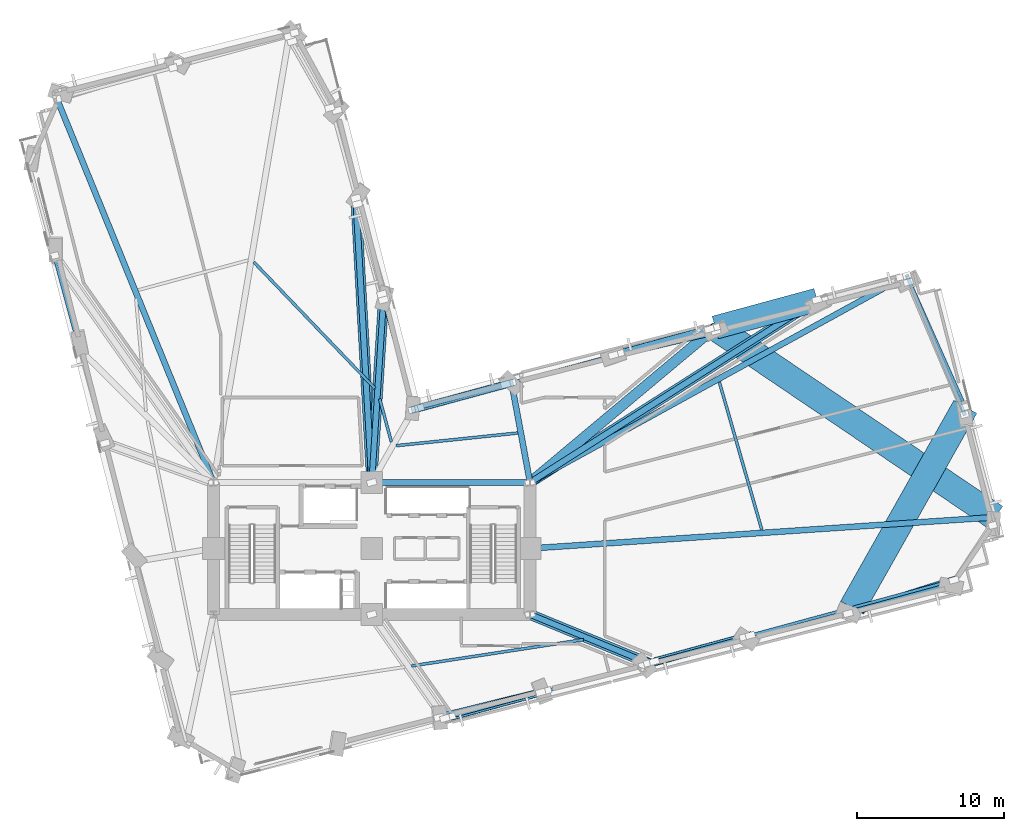
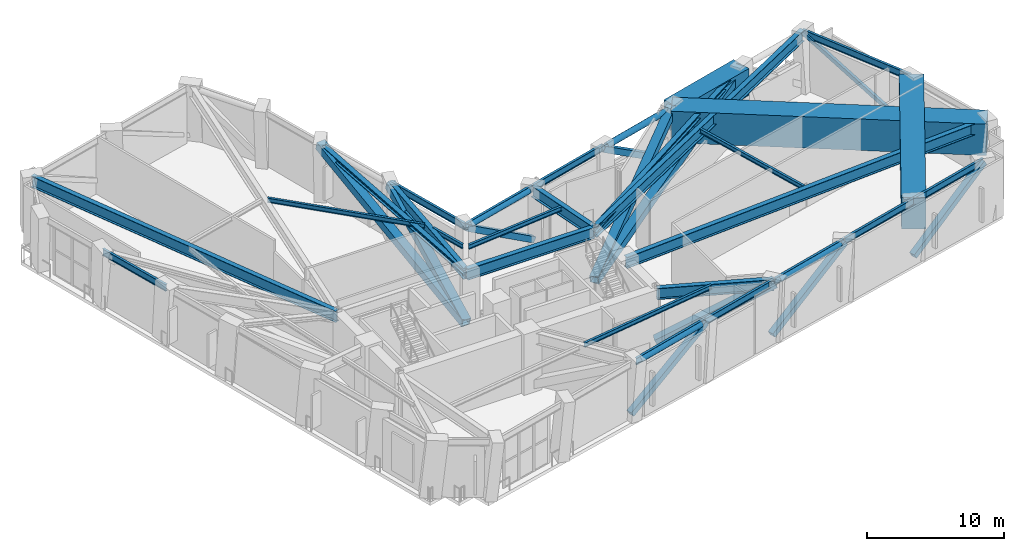
# One storey, part 4 of 17: 25 beams, 17 members.
"""IFC4 building model written with IfcOpenShell, lengths in metres."""

from ifc_helpers import new_model, si_unit, direction, frame, origin, origin_2d, place, context, subcontext, project, spatial, rectangle, hollow_rectangle, hollow_circle, i_section, extrude, material, material_profile, profile_set, type_object, element, save


model = new_model("IFC4")

# Units and contexts
model_context = context("Model", 3, precision=1e-05, world=origin(), true_north=direction((0.0, 1.0)))
body_context = subcontext(model_context, "Body", "Model", "MODEL_VIEW")
ifc_project = project(units=[si_unit("LENGTHUNIT", "METRE"), si_unit("AREAUNIT", "SQUARE_METRE"), si_unit("VOLUMEUNIT", "CUBIC_METRE"), si_unit("PLANEANGLEUNIT", "RADIAN"), si_unit("MASSUNIT", "GRAM", prefix="KILO")], contexts=[model_context])

# Site, building, storey
site_placement = place(None, origin())
site = spatial("IfcSite", under=ifc_project, at=site_placement, CompositionType="ELEMENT")
building_placement = place(site_placement, origin())
building = spatial("IfcBuilding", under=site, at=building_placement, Name="Gaonmaruhae Medical Tower", CompositionType="ELEMENT")
storey_placement = place(building_placement, frame((0.0, 0.0, 83.0)))
storey = spatial("IfcBuildingStorey", under=building, at=storey_placement, Name="L19", CompositionType="ELEMENT", Elevation=83.0)

# Beams
ifc_material_1 = material(Name="Steel SM420", Category="steel")
ifc_material_profile_1 = material_profile(ifc_material_1, i_section(OverallWidth=0.39990234375, OverallDepth=1.0, WebThickness=0.02197265625, FlangeThickness=0.035888671875, at=origin_2d()), Name="BH-1000x400x22x36")
ifc_profile_set_1 = profile_set([ifc_material_profile_1], Name="Steel SM420")
beam_type_1 = type_object("IfcBeamType", Name="BG-02 Refuge Floor Primary Girder (BH-1000x400x22x36)", PredefinedType="BEAM", material=ifc_profile_set_1)
beam_1_placement = place(storey_placement, frame((24.85009765625, 16.800048828125, 4.679931640625), z_axis=(1.0, 0.0, 0.0), x_axis=(0.0, 1.0, 0.0)))
element("IfcBeam", 1, at=beam_1_placement, inside=storey, type_object=beam_type_1, Name="L19 Beam BM-L19-CG-N2", PredefinedType="BEAM", context=body_context, shape_type="SweptSolid", body=[
    extrude(i_section(OverallWidth=0.39990234375, OverallDepth=1.0, WebThickness=0.02197265625, FlangeThickness=0.035888671875, at=origin_2d()), origin(), (0.0, 0.0, 1.0), 10.699951171875),
])
beam_2_placement = place(storey_placement, frame((35.646240234375, 7.781005859375, 4.659912109375), z_axis=(0.925038980817, -0.379872194256, 0.0), x_axis=(0.379872194256, 0.925038980817, 0.0)))
element("IfcBeam", 2, at=beam_2_placement, inside=storey, type_object=beam_type_1, Name="L19 Radial Primary Girder S05", PredefinedType="BEAM", context=body_context, shape_type="SweptSolid", body=[
    extrude(i_section(OverallWidth=0.39990234375, OverallDepth=1.0, WebThickness=0.02197265625, FlangeThickness=0.035888671875, at=origin_2d()), origin(), (0.0, 0.0, 1.0), 8.634521484375),
])
beam_3_placement = place(storey_placement, frame((35.64990234375, 12.303466796875, 4.659912109375), z_axis=(0.997745166886, 0.067116182512, 0.0), x_axis=(-0.067116182512, 0.997745166886, 0.0)))
element("IfcBeam", 3, at=beam_3_placement, inside=storey, type_object=beam_type_1, Name="L19 Radial Primary Girder E01", PredefinedType="BEAM", context=body_context, shape_type="SweptSolid", body=[
    extrude(i_section(OverallWidth=0.39990234375, OverallDepth=1.0, WebThickness=0.02197265625, FlangeThickness=0.035888671875, at=origin_2d()), origin(), (0.0, 0.0, 1.0), 31.7197265625),
])
beam_4_placement = place(storey_placement, frame((35.643798828125, 16.823974609375, 4.659912109375), z_axis=(0.876377694628, 0.481624476494, 0.0), x_axis=(-0.481624476494, 0.876377694628, 0.0)))
element("IfcBeam", 4, at=beam_4_placement, inside=storey, type_object=beam_type_1, Name="L19 Radial Primary Girder E03", PredefinedType="BEAM", context=body_context, shape_type="SweptSolid", body=[
    extrude(i_section(OverallWidth=0.39990234375, OverallDepth=1.0, WebThickness=0.02197265625, FlangeThickness=0.035888671875, at=origin_2d()), origin(), (0.0, 0.0, 1.0), 29.239013671875),
])
beam_5_placement = place(storey_placement, frame((35.5908203125, 16.84912109375, 4.679931640625), z_axis=(-0.182123881637, 0.983275592974, 0.0), x_axis=(-0.983275592974, -0.182123881637, 0.0)))
element("IfcBeam", 5, at=beam_5_placement, inside=storey, type_object=beam_type_1, Name="L19 Radial Primary Girder EN04", PredefinedType="BEAM", context=body_context, shape_type="SweptSolid", body=[
    extrude(i_section(OverallWidth=0.39990234375, OverallDepth=1.0, WebThickness=0.02197265625, FlangeThickness=0.035888671875, at=origin_2d()), origin(), (0.0, 0.0, 1.0), 6.81787109375),
])
beam_6_placement = place(storey_placement, frame((24.80322265625, 16.849853515625, 4.679931640625), z_axis=(0.064166330586, 0.997939217597, 0.0), x_axis=(-0.997939217597, 0.064166330586, 0.0)))
element("IfcBeam", 6, at=beam_6_placement, inside=storey, type_object=beam_type_1, Name="L19 Radial Primary Girder NE01", PredefinedType="BEAM", context=body_context, shape_type="SweptSolid", body=[
    extrude(i_section(OverallWidth=0.39990234375, OverallDepth=1.0, WebThickness=0.02197265625, FlangeThickness=0.035888671875, at=origin_2d()), origin(), (0.0, 0.0, 1.0), 12.384765625),
])
beam_7_placement = place(storey_placement, frame((13.981201171875, 16.84619140625, 4.679931640625), z_axis=(-0.377722610379, 0.925918802924, 0.0), x_axis=(-0.925918802924, -0.377722610379, 0.0)))
element("IfcBeam", 7, at=beam_7_placement, inside=storey, type_object=beam_type_1, Name="L19 Radial Primary Girder N03", PredefinedType="BEAM", context=body_context, shape_type="SweptSolid", body=[
    extrude(i_section(OverallWidth=0.39990234375, OverallDepth=1.0, WebThickness=0.02197265625, FlangeThickness=0.035888671875, at=origin_2d()), origin(), (0.0, 0.0, 1.0), 28.141357421875),
])

# Members
ifc_material_2 = material(Name="Steel HSA650 (650 MPa)", Category="steel")
ifc_material_profile_2 = material_profile(ifc_material_2, hollow_circle(Radius=0.25390625, WallThickness=0.01611328125, at=origin_2d()), Name="CHS-508.0x16.0")
ifc_profile_set_2 = profile_set([ifc_material_profile_2], Name="Steel HSA650 (650 MPa)")
member_type_1 = type_object("IfcMemberType", Name="BT-C1 Belt Truss Perimeter Chord (CHS-508.0x16.0)", PredefinedType="CHORD", material=ifc_profile_set_2)
member_1_placement = place(storey_placement, frame((30.18896484375, 0.816650390625, 4.830078125), z_axis=(0.965017612701, 0.262185062841, 0.0), x_axis=(-0.262185062841, 0.965017612701, 0.0)))
element("IfcMember", 8, at=member_1_placement, inside=storey, type_object=member_type_1, Name="L19 Belt Truss Top Chord BTC01", PredefinedType="CHORD", context=body_context, shape_type="SweptSolid", body=[
    extrude(hollow_circle(Radius=0.25390625, WallThickness=0.01611328125, at=origin_2d()), origin(), (0.0, 0.0, 1.0), 6.35986328125),
])
member_2_placement = place(storey_placement, frame((44.085205078125, 4.592041015625, 4.830078125), z_axis=(0.96500789965, 0.262220810792, 0.0), x_axis=(-0.262220810792, 0.96500789965, 0.0)))
element("IfcMember", 9, at=member_2_placement, inside=storey, type_object=member_type_1, Name="L19 Belt Truss Top Chord BTC02", PredefinedType="CHORD", context=body_context, shape_type="SweptSolid", body=[
    extrude(hollow_circle(Radius=0.25390625, WallThickness=0.01611328125, at=origin_2d()), origin(), (0.0, 0.0, 1.0), 6.360107421875),
])
member_3_placement = place(storey_placement, frame((47.830810546875, 27.267578125, 4.830078125), z_axis=(-0.965017612701, -0.262185062841, 0.0), x_axis=(0.262185062841, -0.965017612701, 0.0)))
element("IfcMember", 10, at=member_3_placement, inside=storey, type_object=member_type_1, Name="L19 Belt Truss Top Chord BTC05", PredefinedType="CHORD", context=body_context, shape_type="SweptSolid", body=[
    extrude(hollow_circle(Radius=0.25390625, WallThickness=0.01611328125, at=origin_2d()), origin(), (0.0, 0.0, 1.0), 6.35986328125),
])
member_4_placement = place(storey_placement, frame((33.9345703125, 23.491943359375, 4.830078125), z_axis=(-0.965013274122, -0.262201031211, 0.0), x_axis=(0.262201031211, -0.965013274122, 0.0)))
element("IfcMember", 11, at=member_4_placement, inside=storey, type_object=member_type_1, Name="L19 Belt Truss Top Chord BTC06", PredefinedType="CHORD", context=body_context, shape_type="SweptSolid", body=[
    extrude(hollow_circle(Radius=0.25390625, WallThickness=0.01611328125, at=origin_2d()), origin(), (0.0, 0.0, 1.0), 6.110107421875),
])
ifc_material_profile_3 = material_profile(ifc_material_2, hollow_rectangle(XDim=0.5, YDim=0.5, WallThickness=0.02197265625, at=origin_2d()), Name="RHS-500x500x22")
ifc_profile_set_3 = profile_set([ifc_material_profile_3], Name="Steel HSA650 (650 MPa)")
member_type_2 = type_object("IfcMemberType", Name="BT-D1 Belt Truss Diagonal Heavy (RHS-500x500x22)", PredefinedType="BRACE", material=ifc_profile_set_3)
member_5_placement = place(storey_placement, frame((29.384521484375, 0.773193359375, 0.35009765625), z_axis=(0.835297591601, 0.207034117623, 0.509327799757), x_axis=(-0.240577167653, 0.970630015198, 0.0)))
element("IfcMember", 12, at=member_5_placement, inside=storey, type_object=member_type_2, Name="L19 Belt Truss Diagonal BTD01", PredefinedType="BRACE", context=body_context, shape_type="SweptSolid", body=[
    extrude(hollow_rectangle(XDim=0.5, YDim=0.5, WallThickness=0.02197265625, at=origin_2d()), origin(), (0.0, 0.0, 1.0), 8.7958984375),
])
member_6_placement = place(storey_placement, frame((43.341552734375, 4.317626953125, 0.35009765625), z_axis=(0.828354578286, 0.23331038985, 0.509308309986), x_axis=(-0.271107009329, 0.962549214063, 0.0)))
element("IfcMember", 13, at=member_6_placement, inside=storey, type_object=member_type_2, Name="L19 Belt Truss Diagonal BTD02", PredefinedType="BRACE", context=body_context, shape_type="SweptSolid", body=[
    extrude(hollow_rectangle(XDim=0.5, YDim=0.5, WallThickness=0.02197265625, at=origin_2d()), origin(), (0.0, 0.0, 1.0), 8.796142578125),
])
member_7_placement = place(storey_placement, frame((57.29833984375, 7.8623046875, 0.35009765625), z_axis=(0.820826959362, 0.259335503497, 0.508908832121), x_axis=(-0.301265509715, 0.953540294196, 0.0)))
element("IfcMember", 14, at=member_7_placement, inside=storey, type_object=member_type_2, Name="L19 Belt Truss Diagonal BTD03", PredefinedType="BRACE", context=body_context, shape_type="SweptSolid", body=[
    extrude(hollow_rectangle(XDim=0.5, YDim=0.5, WallThickness=0.02197265625, at=origin_2d()), origin(), (0.0, 0.0, 1.0), 8.80322265625),
])
member_8_placement = place(storey_placement, frame((48.27685546875, 27.134521484375, 0.35009765625), z_axis=(-0.825825672149, -0.194354347561, 0.529375430865), x_axis=(0.229086716443, -0.973406018242, 0.0)))
element("IfcMember", 15, at=member_8_placement, inside=storey, type_object=member_type_2, Name="L19 Belt Truss Diagonal BTD05", PredefinedType="BRACE", context=body_context, shape_type="SweptSolid", body=[
    extrude(hollow_rectangle(XDim=0.5, YDim=0.5, WallThickness=0.02197265625, at=origin_2d()), origin(), (0.0, 0.0, 1.0), 8.462646484375),
])
member_9_placement = place(storey_placement, frame((34.320068359375, 23.590087890625, 0.35009765625), z_axis=(-0.810540642467, -0.219428947203, 0.543023760105), x_axis=(0.261312871731, -0.965254154649, 0.0)))
element("IfcMember", 16, at=member_9_placement, inside=storey, type_object=member_type_2, Name="L19 Belt Truss Diagonal BTD06", PredefinedType="BRACE", context=body_context, shape_type="SweptSolid", body=[
    extrude(hollow_rectangle(XDim=0.5, YDim=0.5, WallThickness=0.02197265625, at=origin_2d()), origin(), (0.0, 0.0, 1.0), 8.25),
])

# Beams
ifc_material_3 = material(Name="Steel SM355", Category="steel")
ifc_material_profile_4 = material_profile(ifc_material_3, i_section(OverallWidth=0.199951171875, OverallDepth=0.39990234375, WebThickness=0.008056640625, FlangeThickness=0.012939453125, FilletRadius=0.012939453125, at=origin_2d()), Name="H-400x200x8x13")
ifc_profile_set_4 = profile_set([ifc_material_profile_4], Name="Steel SM355")
beam_type_2 = type_object("IfcBeamType", Name="FJ-01 Lower Zone Ward Floor Joist (H-400x200x8x13)", PredefinedType="JOIST", material=ifc_profile_set_4)
beam_8_placement = place(storey_placement, frame((27.5185546875, 4.287841796875, 4.97998046875), z_axis=(0.988512771711, 0.15113735529, 0.0), x_axis=(-0.15113735529, 0.988512771711, 0.0)))
element("IfcBeam", 17, at=beam_8_placement, inside=storey, type_object=beam_type_2, Name="L19 Secondary Floor Joist FJ02", PredefinedType="JOIST", context=body_context, shape_type="SweptSolid", body=[
    extrude(i_section(OverallWidth=0.199951171875, OverallDepth=0.39990234375, WebThickness=0.008056640625, FlangeThickness=0.012939453125, FilletRadius=0.012939453125, at=origin_2d()), origin(), (0.0, 0.0, 1.0), 11.867919921875),
])
beam_9_placement = place(storey_placement, frame((51.415771484375, 13.5703125, 4.97998046875), z_axis=(-0.27629910344, 0.961071696305, 0.0), x_axis=(-0.961071696305, -0.27629910344, 0.0)))
element("IfcBeam", 18, at=beam_9_placement, inside=storey, type_object=beam_type_2, Name="L19 Secondary Floor Joist FJ04", PredefinedType="JOIST", context=body_context, shape_type="SweptSolid", body=[
    extrude(i_section(OverallWidth=0.199951171875, OverallDepth=0.39990234375, WebThickness=0.008056640625, FlangeThickness=0.012939453125, FilletRadius=0.012939453125, at=origin_2d()), origin(), (0.0, 0.0, 1.0), 10.500732421875),
])
beam_10_placement = place(storey_placement, frame((34.764404296875, 20.1796875, 4.97998046875), z_axis=(-0.994625066706, -0.103542149297, 0.0), x_axis=(0.103542149297, -0.994625066706, 0.0)))
element("IfcBeam", 19, at=beam_10_placement, inside=storey, type_object=beam_type_2, Name="L19 Secondary Floor Joist FJ06", PredefinedType="JOIST", context=body_context, shape_type="SweptSolid", body=[
    extrude(i_section(OverallWidth=0.199951171875, OverallDepth=0.39990234375, WebThickness=0.008056640625, FlangeThickness=0.012939453125, FilletRadius=0.012939453125, at=origin_2d()), origin(), (0.0, 0.0, 1.0), 8.34228515625),
])
beam_11_placement = place(storey_placement, frame((26.140625, 19.569580078125, 4.97998046875), z_axis=(-0.26222408129, 0.965007010955, 0.0), x_axis=(-0.965007010955, -0.26222408129, 0.0)))
element("IfcBeam", 20, at=beam_11_placement, inside=storey, type_object=beam_type_2, Name="L19 Secondary Floor Joist FJ07", PredefinedType="JOIST", context=body_context, shape_type="SweptSolid", body=[
    extrude(i_section(OverallWidth=0.199951171875, OverallDepth=0.39990234375, WebThickness=0.008056640625, FlangeThickness=0.012939453125, FilletRadius=0.012939453125, at=origin_2d()), origin(), (0.0, 0.0, 1.0), 3.052978515625),
])
beam_12_placement = place(storey_placement, frame((25.008544921875, 23.229736328125, 4.97998046875), z_axis=(-0.691943152825, 0.721951988195, 0.0), x_axis=(-0.721951988195, -0.691943152825, 0.0)))
element("IfcBeam", 21, at=beam_12_placement, inside=storey, type_object=beam_type_2, Name="L19 Secondary Floor Joist FJ08", PredefinedType="JOIST", context=body_context, shape_type="SweptSolid", body=[
    extrude(i_section(OverallWidth=0.199951171875, OverallDepth=0.39990234375, WebThickness=0.008056640625, FlangeThickness=0.012939453125, FilletRadius=0.012939453125, at=origin_2d()), origin(), (0.0, 0.0, 1.0), 11.9267578125),
])

# Members
ifc_material_profile_5 = material_profile(ifc_material_2, i_section(OverallWidth=0.4169921875, OverallDepth=0.4580078125, WebThickness=0.030029296875, FlangeThickness=0.050048828125, FilletRadius=0.02197265625, at=origin_2d()), Name="H-458x417x30x50")
ifc_profile_set_5 = profile_set([ifc_material_profile_5], Name="Steel HSA650 (650 MPa)")
member_type_3 = type_object("IfcMemberType", Name="OT-C1 Outrigger Truss Chord (H-458x417x30x50)", PredefinedType="CHORD", material=ifc_profile_set_5)
member_10_placement = place(storey_placement, frame((35.60009765625, 16.800048828125, 4.830078125), z_axis=(0.843609952515, 0.536956467526, 0.0), x_axis=(-0.536956467526, 0.843609952515, 0.0)))
element("IfcMember", 22, at=member_10_placement, inside=storey, type_object=member_type_3, Name="L19 Outrigger Truss Chord OTC03", PredefinedType="CHORD", context=body_context, shape_type="SweptSolid", body=[
    extrude(i_section(OverallWidth=0.4169921875, OverallDepth=0.4580078125, WebThickness=0.030029296875, FlangeThickness=0.050048828125, FilletRadius=0.02197265625, at=origin_2d()), origin(), (0.0, 0.0, 1.0), 23.21484375),
])
member_11_placement = place(storey_placement, frame((24.800048828125, 16.800048828125, 4.830078125), z_axis=(-0.055906888632, 0.998435986833, 0.0), x_axis=(-0.998435986833, -0.055906888632, 0.0)))
element("IfcMember", 23, at=member_11_placement, inside=storey, type_object=member_type_3, Name="L19 Outrigger Truss Chord OTC06", PredefinedType="CHORD", context=body_context, shape_type="SweptSolid", body=[
    extrude(i_section(OverallWidth=0.4169921875, OverallDepth=0.4580078125, WebThickness=0.030029296875, FlangeThickness=0.050048828125, FilletRadius=0.02197265625, at=origin_2d()), origin(), (0.0, 0.0, 1.0), 19.437255859375),
])
ifc_material_profile_6 = material_profile(ifc_material_2, hollow_rectangle(XDim=0.699951171875, YDim=0.699951171875, WallThickness=0.031982421875, at=origin_2d()), Name="RHS-700x700x32")
ifc_profile_set_6 = profile_set([ifc_material_profile_6], Name="Steel HSA650 (650 MPa)")
member_type_4 = type_object("IfcMemberType", Name="OT-D1 Outrigger Truss Diagonal Lower (RHS-700x700x32)", PredefinedType="BRACE", material=ifc_profile_set_6)
member_12_placement = place(storey_placement, frame((35.60009765625, 7.800048828125, 0.35009765625), z_axis=(0.823078346401, -0.338020722969, 0.456381448494), x_axis=(0.37989066574, 0.925031395188, 0.0)))
element("IfcMember", 24, at=member_12_placement, inside=storey, type_object=member_type_4, Name="L19 Outrigger Truss Diagonal OTD02", PredefinedType="BRACE", context=body_context, shape_type="SweptSolid", body=[
    extrude(hollow_rectangle(XDim=0.699951171875, YDim=0.699951171875, WallThickness=0.031982421875, at=origin_2d()), origin(), (0.0, 0.0, 1.0), 9.81640625),
])
member_13_placement = place(storey_placement, frame((35.60009765625, 16.800048828125, 0.35009765625), z_axis=(0.82832702842, 0.527228909297, 0.189483538047), x_axis=(-0.536956467526, 0.843609952515, 0.0)))
element("IfcMember", 25, at=member_13_placement, inside=storey, type_object=member_type_4, Name="L19 Outrigger Truss Diagonal OTD03", PredefinedType="BRACE", context=body_context, shape_type="SweptSolid", body=[
    extrude(hollow_rectangle(XDim=0.699951171875, YDim=0.699951171875, WallThickness=0.031982421875, at=origin_2d()), origin(), (0.0, 0.0, 1.0), 23.64306640625),
])
member_14_placement = place(storey_placement, frame((35.60009765625, 16.800048828125, 0.35009765625), z_axis=(0.739940740207, 0.61940747165, 0.262339636818), x_axis=(-0.641889255578, 0.76679735496, 0.0)))
element("IfcMember", 26, at=member_14_placement, inside=storey, type_object=member_type_4, Name="L19 Outrigger Truss Diagonal OTD04", PredefinedType="BRACE", context=body_context, shape_type="SweptSolid", body=[
    extrude(hollow_rectangle(XDim=0.699951171875, YDim=0.699951171875, WallThickness=0.031982421875, at=origin_2d()), origin(), (0.0, 0.0, 1.0), 17.076904296875),
])
member_15_placement = place(storey_placement, frame((24.800048828125, 16.800048828125, 0.35009765625), z_axis=(0.0603912154, 0.939294152118, 0.337756416519), x_axis=(-0.997939510514, 0.064161774882, 0.0)))
element("IfcMember", 27, at=member_15_placement, inside=storey, type_object=member_type_4, Name="L19 Outrigger Truss Diagonal OTD05", PredefinedType="BRACE", context=body_context, shape_type="SweptSolid", body=[
    extrude(hollow_rectangle(XDim=0.699951171875, YDim=0.699951171875, WallThickness=0.031982421875, at=origin_2d()), origin(), (0.0, 0.0, 1.0), 13.263916015625),
])
member_16_placement = place(storey_placement, frame((24.800048828125, 16.800048828125, 0.35009765625), z_axis=(-0.054478563591, 0.972927661159, 0.224597088719), x_axis=(-0.998435986833, -0.055906888632, 0.0)))
element("IfcMember", 28, at=member_16_placement, inside=storey, type_object=member_type_4, Name="L19 Outrigger Truss Diagonal OTD06", PredefinedType="BRACE", context=body_context, shape_type="SweptSolid", body=[
    extrude(hollow_rectangle(XDim=0.699951171875, YDim=0.699951171875, WallThickness=0.031982421875, at=origin_2d()), origin(), (0.0, 0.0, 1.0), 19.94677734375),
])

# Beams
ifc_material_profile_7 = material_profile(ifc_material_3, i_section(OverallWidth=0.199951171875, OverallDepth=0.60009765625, WebThickness=0.010986328125, FlangeThickness=0.01708984375, FilletRadius=0.012939453125, at=origin_2d()), Name="H-600x200x11x17")
ifc_profile_set_7 = profile_set([ifc_material_profile_7], Name="Steel SM355")
beam_type_3 = type_object("IfcBeamType", Name="SP-01 Lower Perimeter Spandrel Beam (H-600x200x11x17)", PredefinedType="SPANDREL", material=ifc_profile_set_7)
for number, where, z_axis, x_axis, name in (
    (29, (29.822265625, 0.717041015625, 4.8798828125), (0.965018957247, 0.262180113958, 0.0), (-0.262180113958, 0.965018957247, 0.0), "L19 Perimeter Spandrel Beam S03-S04"),
    (30, (36.770263671875, 2.604736328125, 4.860107421875), (0.965018957247, 0.262180113958, 0.0), (-0.262180113958, 0.965018957247, 0.0), "L19 Perimeter Spandrel Beam S04-S05"),
):
    element("IfcBeam", number, at=place(storey_placement, frame(where, z_axis=z_axis, x_axis=x_axis)), inside=storey, type_object=beam_type_3, Name=name, PredefinedType="SPANDREL", context=body_context, shape_type="SweptSolid", body=[
        extrude(i_section(OverallWidth=0.199951171875, OverallDepth=0.60009765625, WebThickness=0.010986328125, FlangeThickness=0.01708984375, FilletRadius=0.012939453125, at=origin_2d()), origin(), (0.0, 0.0, 1.0), 7.119873046875),
    ])
beam_13_placement = place(storey_placement, frame((43.71826171875, 4.492431640625, 4.860107421875), z_axis=(0.965012638631, 0.262203370083, 0.0), x_axis=(-0.262203370083, 0.965012638631, 0.0)))
element("IfcBeam", 31, at=beam_13_placement, inside=storey, type_object=beam_type_3, Name="L19 Perimeter Spandrel Beam S05-S06", PredefinedType="SPANDREL", context=body_context, shape_type="SweptSolid", body=[
    extrude(i_section(OverallWidth=0.199951171875, OverallDepth=0.60009765625, WebThickness=0.010986328125, FlangeThickness=0.01708984375, FilletRadius=0.012939453125, at=origin_2d()), origin(), (0.0, 0.0, 1.0), 7.1201171875),
])
beam_14_placement = place(storey_placement, frame((50.66650390625, 6.38037109375, 4.8798828125), z_axis=(0.965018957247, 0.262180113958, 0.0), x_axis=(-0.262180113958, 0.965018957247, 0.0)))
element("IfcBeam", 32, at=beam_14_placement, inside=storey, type_object=beam_type_3, Name="L19 Perimeter Spandrel Beam S06-S07", PredefinedType="SPANDREL", context=body_context, shape_type="SweptSolid", body=[
    extrude(i_section(OverallWidth=0.199951171875, OverallDepth=0.60009765625, WebThickness=0.010986328125, FlangeThickness=0.01708984375, FilletRadius=0.012939453125, at=origin_2d()), origin(), (0.0, 0.0, 1.0), 7.119873046875),
])
beam_15_placement = place(storey_placement, frame((57.614501953125, 8.26806640625, 4.860107421875), z_axis=(0.965021314159, 0.262171438604, 0.0), x_axis=(-0.262171438604, 0.965021314159, 0.0)))
element("IfcBeam", 33, at=beam_15_placement, inside=storey, type_object=beam_type_3, Name="L19 Perimeter Spandrel Beam S07-S08", PredefinedType="SPANDREL", context=body_context, shape_type="SweptSolid", body=[
    extrude(i_section(OverallWidth=0.199951171875, OverallDepth=0.60009765625, WebThickness=0.010986328125, FlangeThickness=0.01708984375, FilletRadius=0.012939453125, at=origin_2d()), origin(), (0.0, 0.0, 1.0), 7.1201171875),
])
beam_16_placement = place(storey_placement, frame((65.28662109375, 21.99951171875, 4.860107421875), z_axis=(-0.406587491843, 0.913611849462, 0.0), x_axis=(-0.913611849462, -0.406587491843, 0.0)))
element("IfcBeam", 34, at=beam_16_placement, inside=storey, type_object=beam_type_3, Name="L19 Perimeter Spandrel Beam E02-E03", PredefinedType="SPANDREL", context=body_context, shape_type="SweptSolid", body=[
    extrude(i_section(OverallWidth=0.199951171875, OverallDepth=0.60009765625, WebThickness=0.010986328125, FlangeThickness=0.01708984375, FilletRadius=0.012939453125, at=origin_2d()), origin(), (0.0, 0.0, 1.0), 9.7353515625),
])
beam_17_placement = place(storey_placement, frame((41.24951171875, 25.4794921875, 4.8798828125), z_axis=(-0.965010281166, -0.262212046337, 0.0), x_axis=(0.262212046337, -0.965010281166, 0.0)))
element("IfcBeam", 35, at=beam_17_placement, inside=storey, type_object=beam_type_3, Name="L19 Perimeter Spandrel Beam EN03-EN04", PredefinedType="SPANDREL", context=body_context, shape_type="SweptSolid", body=[
    extrude(i_section(OverallWidth=0.199951171875, OverallDepth=0.60009765625, WebThickness=0.010986328125, FlangeThickness=0.01708984375, FilletRadius=0.012939453125, at=origin_2d()), origin(), (0.0, 0.0, 1.0), 7.119873046875),
])
beam_18_placement = place(storey_placement, frame((34.30126953125, 23.591552734375, 4.8798828125), z_axis=(-0.965015147614, -0.262194135853, 0.0), x_axis=(0.262194135853, -0.965015147614, 0.0)))
element("IfcBeam", 36, at=beam_18_placement, inside=storey, type_object=beam_type_3, Name="L19 Perimeter Spandrel Beam EN04-KN01", PredefinedType="SPANDREL", context=body_context, shape_type="SweptSolid", body=[
    extrude(i_section(OverallWidth=0.199951171875, OverallDepth=0.60009765625, WebThickness=0.010986328125, FlangeThickness=0.01708984375, FilletRadius=0.012939453125, at=origin_2d()), origin(), (0.0, 0.0, 1.0), 6.869873046875),
])
beam_19_placement = place(storey_placement, frame((27.62255859375, 21.818603515625, 4.8798828125), z_axis=(-0.262190761691, 0.965016064366, 0.0), x_axis=(-0.965016064366, -0.262190761691, 0.0)))
element("IfcBeam", 37, at=beam_19_placement, inside=storey, type_object=beam_type_3, Name="L19 Perimeter Spandrel Beam KN01-NE01", PredefinedType="SPANDREL", context=body_context, shape_type="SweptSolid", body=[
    extrude(i_section(OverallWidth=0.199951171875, OverallDepth=0.60009765625, WebThickness=0.010986328125, FlangeThickness=0.01708984375, FilletRadius=0.012939453125, at=origin_2d()), origin(), (0.0, 0.0, 1.0), 7.669921875),
])
beam_20_placement = place(storey_placement, frame((3.135498046875, 32.232666015625, 4.8798828125), z_axis=(0.262185781361, -0.965017417486, 0.0), x_axis=(0.965017417486, 0.262185781361, 0.0)))
element("IfcBeam", 38, at=beam_20_placement, inside=storey, type_object=beam_type_3, Name="L19 Perimeter Spandrel Beam W02-W03", PredefinedType="SPANDREL", context=body_context, shape_type="SweptSolid", body=[
    extrude(i_section(OverallWidth=0.199951171875, OverallDepth=0.60009765625, WebThickness=0.010986328125, FlangeThickness=0.01708984375, FilletRadius=0.012939453125, at=origin_2d()), origin(), (0.0, 0.0, 1.0), 6.52001953125),
])

# Member
ifc_material_profile_8 = material_profile(ifc_material_3, hollow_rectangle(XDim=0.25, YDim=0.35009765625, WallThickness=0.011962890625, at=origin_2d()), Name="RHS-350x250x12")
ifc_profile_set_8 = profile_set([ifc_material_profile_8], Name="Steel SM355")
member_type_5 = type_object("IfcMemberType", Name="ST-M2 Refuge Core Bracing Strut (RHS-350x250x12)", PredefinedType="STRUT", material=ifc_profile_set_8)
member_17_placement = place(storey_placement, frame((65.25146484375, 21.437744140625, 0.300048828125), z_axis=(-0.350102113772, 0.843651706574, 0.407038460009), x_axis=(-0.923627685445, -0.383290879984, 0.0)))
element("IfcMember", 39, at=member_17_placement, inside=storey, type_object=member_type_5, Name="L19 Refuge Solid-Bay Bracing Strut 1", PredefinedType="STRUT", context=body_context, shape_type="SweptSolid", body=[
    extrude(hollow_rectangle(XDim=0.25, YDim=0.35009765625, WallThickness=0.011962890625, at=origin_2d()), origin(), (0.0, 0.0, 1.0), 11.251708984375),
])

# Beams
ifc_material_4 = material(Name="Concrete C60/75", Category="concrete")
ifc_material_profile_9 = material_profile(ifc_material_4, rectangle(XDim=1.60009765625, YDim=2.39990234375, at=origin_2d()), Name="TG-1600x2400")
ifc_profile_set_9 = profile_set([ifc_material_profile_9], Name="Concrete C60/75")
beam_type_4 = type_object("IfcBeamType", Name="TG-01I Portal Arch Interior Transfer Girder (TG-1600x2400)", PredefinedType="BEAM", material=ifc_profile_set_9)
beam_21_placement = place(storey_placement, frame((55.184326171875, 29.265380859375, 3.9599609375), z_axis=(-0.965020019288, -0.262176204819, 0.0), x_axis=(0.262176204819, -0.965020019288, 0.0)))
element("IfcBeam", 40, at=beam_21_placement, inside=storey, type_object=beam_type_4, Name="L19 Setback Transfer Girder E03", PredefinedType="BEAM", context=body_context, shape_type="SweptSolid", body=[
    extrude(rectangle(XDim=1.60009765625, YDim=2.39990234375, at=origin_2d()), origin(), (0.0, 0.0, 1.0), 7.2001953125),
])
ifc_material_profile_10 = material_profile(ifc_material_4, rectangle(XDim=1.800048828125, YDim=2.800048828125, at=origin_2d()), Name="TG-1800x2800")
ifc_profile_set_10 = profile_set([ifc_material_profile_10], Name="Concrete C60/75")
beam_type_5 = type_object("IfcBeamType", Name="TG-03 Long-Span Setback & Arch Transfer Girder (TG-1800x2800)", PredefinedType="BEAM", material=ifc_profile_set_10)
beam_22_placement = place(storey_placement, frame((57.575927734375, 8.257568359375, 3.760009765625), z_axis=(0.491120757696, 0.871091499993, 0.0), x_axis=(-0.871091499993, 0.491120757696, 0.0)))
element("IfcBeam", 41, at=beam_22_placement, inside=storey, type_object=beam_type_5, Name="L19 Setback Transfer Girder E01", PredefinedType="BEAM", context=body_context, shape_type="SweptSolid", body=[
    extrude(rectangle(XDim=1.800048828125, YDim=2.800048828125, at=origin_2d()), origin(), (0.0, 0.0, 1.0), 15.7333984375),
])
beam_23_placement = place(storey_placement, frame((67.347900390625, 14.435791015625, 3.760009765625), z_axis=(-0.828015639617, 0.560705003144, 0.0), x_axis=(-0.560705003144, -0.828015639617, 0.0)))
element("IfcBeam", 42, at=beam_23_placement, inside=storey, type_object=beam_type_5, Name="L19 Setback Transfer Girder E02", PredefinedType="BEAM", context=body_context, shape_type="SweptSolid", body=[
    extrude(rectangle(XDim=1.800048828125, YDim=2.800048828125, at=origin_2d()), origin(), (0.0, 0.0, 1.0), 23.08154296875),
])

save(model, "model.ifc")
